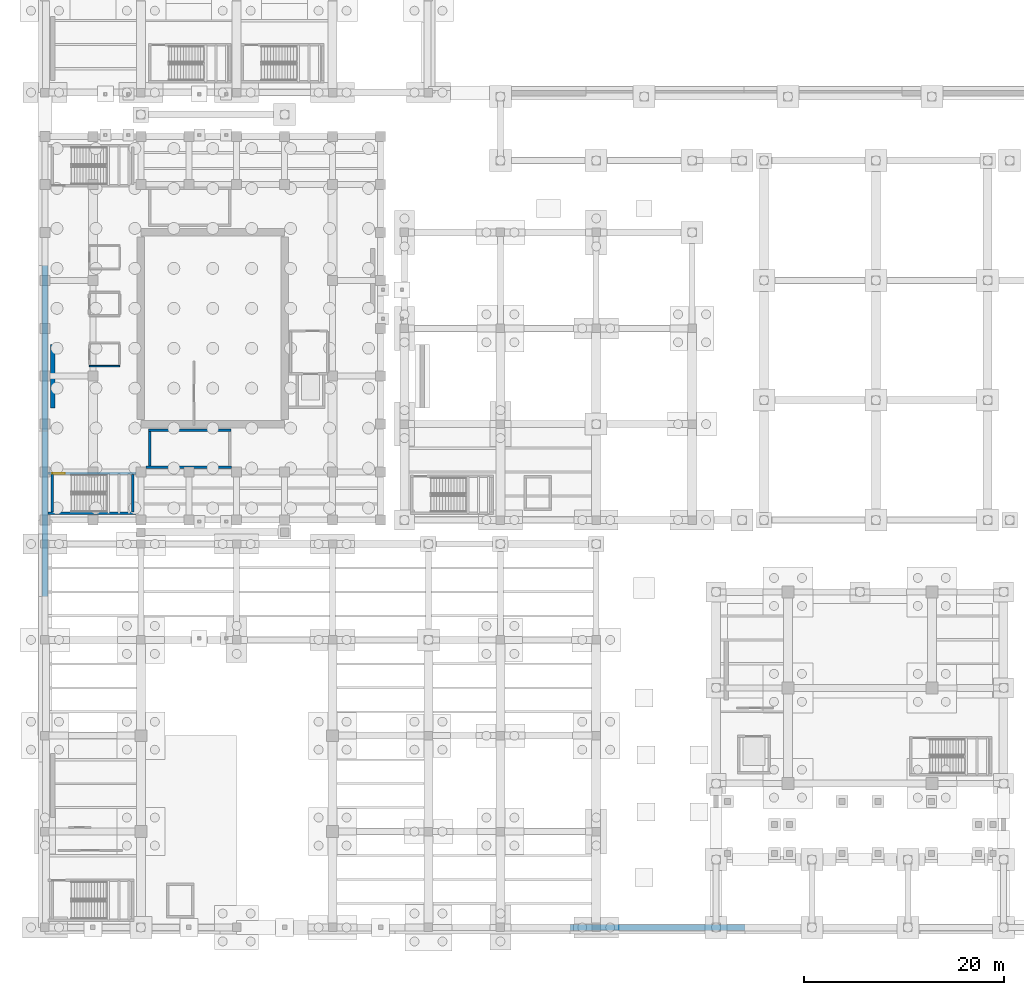
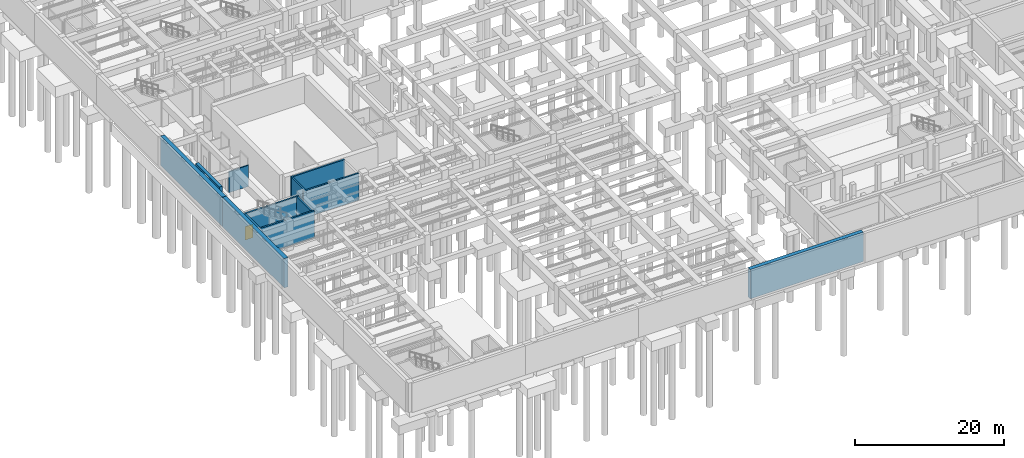
# One storey, part 34 of 56: 12 walls, 1 door, 1 opening.
"""IFC4 building model written with IfcOpenShell, lengths in metres."""

from ifc_helpers import new_model, si_unit, direction, frame, frame_2d, origin, place, context, subcontext, project, spatial, rectangle, extrude, material, layer, layer_set, type_object, element, fill, save


model = new_model("IFC4")

# Units and contexts
model_context = context("Model", 3, precision=1e-05, world=origin(), true_north=direction((0.0, 1.0)))
body_context = subcontext(model_context, "Body", "Model", "MODEL_VIEW")
ifc_project = project(units=[si_unit("LENGTHUNIT", "METRE"), si_unit("AREAUNIT", "SQUARE_METRE"), si_unit("VOLUMEUNIT", "CUBIC_METRE"), si_unit("PLANEANGLEUNIT", "RADIAN"), si_unit("MASSUNIT", "GRAM", prefix="KILO")], contexts=[model_context])

# Site, building, storey
site_placement = place(None, origin())
site = spatial("IfcSite", under=ifc_project, at=site_placement, CompositionType="ELEMENT")
building_placement = place(site_placement, origin())
building = spatial("IfcBuilding", under=site, at=building_placement, Name="Mavantir Sound Aquarium", CompositionType="ELEMENT")
storey_placement = place(building_placement, frame((0.0, 0.0, -9.60009765625)))
storey = spatial("IfcBuildingStorey", under=building, at=storey_placement, Name="B2", CompositionType="ELEMENT", Elevation=-9.60009765625)

# Walls
ifc_material_1 = material(Name="Moisture-Resistant Marine Gypsum Partition", Category="gypsum")
ifc_layer_1 = layer(ifc_material_1, 0.14990234375, Name="Moisture-Resistant Marine Gypsum Partition")
ifc_layer_set_1 = layer_set([ifc_layer_1], Name="Moisture-Resistant Marine Gypsum Partition")
wall_type_1 = type_object("IfcWallType", Name="IW-PART-150", PredefinedType="PARTITIONING", material=ifc_layer_set_1)
wall_1_placement = place(storey_placement, frame((4.43994140625, 56.199951171875, 0.0), z_axis=(0.0, 0.0, 1.0), x_axis=(1.0, 0.0, 0.0)))
element("IfcWall", 1, at=wall_1_placement, inside=storey, type_object=wall_type_1, Name="B2 B2 Mens WC partition S", PredefinedType="PARTITIONING", context=body_context, shape_type="SweptSolid", body=[
    extrude(rectangle(XDim=3.0400390625, YDim=0.14990234375, at=frame_2d((1.52001953125, 0.0))), origin(), (0.0, 0.0, 1.0), 3.466064453125),
])
ifc_material_2 = material(Name="Concrete C40/50", Category="concrete")
ifc_layer_2 = layer(ifc_material_2, 0.25, Name="Concrete C40/50")
ifc_layer_set_2 = layer_set([ifc_layer_2], Name="Concrete C40/50")
wall_type_2 = type_object("IfcWallType", Name="IW-SHAFT-250", PredefinedType="SHEAR", material=ifc_layer_set_2)
wall_2_placement = place(storey_placement, frame((0.300048828125, 41.47509765625, 0.0), z_axis=(0.0, 0.0, 1.0), x_axis=(1.0, 0.0, 0.0)))
element("IfcWall", 2, at=wall_2_placement, inside=storey, type_object=wall_type_2, Name="B2 stair ST1 shaft wall S", PredefinedType="SHEAR", context=body_context, shape_type="SweptSolid", body=[
    extrude(rectangle(XDim=8.800048828125, YDim=0.25, at=frame_2d((4.39990234375, 0.0))), origin(), (0.0, 0.0, 1.0), 4.400146484375),
])

# Wall, opening, door
wall_3_placement = place(storey_placement, frame((9.10009765625, 45.47509765625, 0.0), z_axis=(0.0, 0.0, 1.0), x_axis=(-1.0, 0.0, 0.0)))
wall_3 = element("IfcWall", 3, at=wall_3_placement, inside=storey, type_object=wall_type_2, Name="B2 stair ST1 shaft wall N", PredefinedType="SHEAR", context=body_context, shape_type="SweptSolid", body=[
    extrude(rectangle(XDim=8.800048828125, YDim=0.25, at=frame_2d((4.39990234375, 0.0))), origin(), (0.0, 0.0, 1.0), 4.400146484375),
])
opening_placement = place(wall_3_placement, frame((8.35009765625, 0.0, 0.0), z_axis=(0.0, 0.0, 1.0), x_axis=(-1.0, 0.0, 0.0)))
opening = element("IfcOpeningElement", 4, at=opening_placement, cuts=wall_3, Name="Opening SD-01", PredefinedType="OPENING", context=body_context, shape_type="SweptSolid", body=[
    extrude(rectangle(XDim=1.25, YDim=2.199951171875, at=frame_2d((0.625, 1.10009765625))), frame((0.0, 0.135009765625, 0.0), z_axis=(0.0, -1.0, 0.0), x_axis=(1.0, 0.0, 0.0)), (0.0, 0.0, 1.0), 0.27001953125),
])
ifc_material_3 = material(Name="Fire-Rated Steel Acoustic Door Leaf", Category="steel")
door_type = type_object("IfcDoorType", Name="DR-ST-125", OperationType="NOTDEFINED", PredefinedType="DOOR", material=ifc_material_3)
door_placement = place(opening_placement, origin())
door = element("IfcDoor", 5, at=door_placement, inside=storey, type_object=door_type, Name="B2 protected exit stair ST1 door", OperationType="SINGLE_SWING_LEFT", OverallHeight=2.199951171875, OverallWidth=1.25, PredefinedType="DOOR", context=body_context, shape_type="SweptSolid", body=[
    extrude(rectangle(XDim=1.25, YDim=2.199951171875, at=frame_2d((0.625, 1.10009765625))), frame((0.0, 0.02490234375, 0.0), z_axis=(0.0, -1.0, 0.0), x_axis=(1.0, 0.0, 0.0)), (0.0, 0.0, 1.0), 0.050048828125),
])
fill(opening, door)

# Walls
for number, where, z_axis, x_axis, name in (
    (6, (0.72509765625, 45.35009765625, 0.0), (0.0, 0.0, 1.0), (0.0, -1.0, 0.0), "B2 stair ST1 shaft wall W"),
    (7, (8.77490234375, 41.60009765625, 0.0), (0.0, 0.0, 1.0), (0.0, 1.0, 0.0), "B2 stair ST1 shaft wall E"),
):
    element("IfcWall", number, at=place(storey_placement, frame(where, z_axis=z_axis, x_axis=x_axis)), inside=storey, type_object=wall_type_2, Name=name, PredefinedType="SHEAR", context=body_context, shape_type="SweptSolid", body=[
        extrude(rectangle(XDim=3.75, YDim=0.25, at=frame_2d((1.875, 0.0))), origin(), (0.0, 0.0, 1.0), 4.400146484375),
    ])
wall_4_placement = place(storey_placement, frame((10.10009765625, 46.074951171875, 0.0), z_axis=(0.0, 0.0, 1.0), x_axis=(1.0, 0.0, 0.0)))
element("IfcWall", 8, at=wall_4_placement, inside=storey, type_object=wall_type_2, Name="B2 stair ST9 shaft wall S", PredefinedType="SHEAR", context=body_context, shape_type="SweptSolid", body=[
    extrude(rectangle(XDim=8.599853515625, YDim=0.25, at=frame_2d((4.2998046875, 0.0))), origin(), (0.0, 0.0, 1.0), 4.400146484375),
])
wall_5_placement = place(storey_placement, frame((18.64990234375, 49.77490234375, 0.0), z_axis=(0.0, 0.0, 1.0), x_axis=(-1.0, 0.0, 0.0)))
element("IfcWall", 9, at=wall_5_placement, inside=storey, type_object=wall_type_2, Name="B2 stair ST9 shaft wall N", PredefinedType="SHEAR", context=body_context, shape_type="SweptSolid", body=[
    extrude(rectangle(XDim=8.2998046875, YDim=0.25, at=frame_2d((4.14990234375, 0.0))), origin(), (0.0, 0.0, 1.0), 4.400146484375),
])
wall_6_placement = place(storey_placement, frame((10.47509765625, 49.64990234375, 0.0), z_axis=(0.0, 0.0, 1.0), x_axis=(0.0, -1.0, 0.0)))
element("IfcWall", 10, at=wall_6_placement, inside=storey, type_object=wall_type_2, Name="B2 stair ST9 shaft wall W", PredefinedType="SHEAR", context=body_context, shape_type="SweptSolid", body=[
    extrude(rectangle(XDim=3.449951171875, YDim=0.25, at=frame_2d((1.72509765625, 0.0))), origin(), (0.0, 0.0, 1.0), 4.400146484375),
])
ifc_material_4 = material(Name="Concrete C45/55", Category="concrete")
ifc_layer_3 = layer(ifc_material_4, 0.60009765625, Name="Concrete C45/55")
ifc_layer_set_3 = layer_set([ifc_layer_3], Name="Concrete C45/55")
wall_type_3 = type_object("IfcWallType", Name="SW-RET-600", PredefinedType="USERDEFINED", material=ifc_layer_set_3)
wall_7_placement = place(storey_placement, frame((0.0, 33.14306640625, 0.0), z_axis=(0.0, 0.0, 1.0), x_axis=(0.0, 1.0, 0.0)))
element("IfcWall", 11, at=wall_7_placement, inside=storey, type_object=wall_type_3, Name="B2 perimeter plinth retaining wall 5", ObjectType="RETAINING WALL", PredefinedType="USERDEFINED", context=body_context, shape_type="SweptSolid", body=[
    extrude(rectangle(XDim=16.571044921875, YDim=0.60009765625, at=frame_2d((8.28564453125, 0.0))), origin(), (0.0, 0.0, 1.0), 4.800048828125),
])
wall_8_placement = place(storey_placement, frame((0.0, 49.714111328125, 0.0), z_axis=(0.0, 0.0, 1.0), x_axis=(0.0, 1.0, 0.0)))
element("IfcWall", 12, at=wall_8_placement, inside=storey, type_object=wall_type_3, Name="B2 perimeter plinth retaining wall 7", ObjectType="RETAINING WALL", PredefinedType="USERDEFINED", context=body_context, shape_type="SweptSolid", body=[
    extrude(rectangle(XDim=16.57177734375, YDim=0.60009765625, at=frame_2d((8.285888671875, 0.0))), origin(), (0.0, 0.0, 1.0), 4.800048828125),
])
wall_9_placement = place(storey_placement, frame((70.080078125, 0.0, 0.0), z_axis=(0.0, 0.0, 1.0), x_axis=(-1.0, 0.0, 0.0)))
element("IfcWall", 13, at=wall_9_placement, inside=storey, type_object=wall_type_3, Name="B2 perimeter plinth retaining wall 97", ObjectType="RETAINING WALL", PredefinedType="USERDEFINED", context=body_context, shape_type="SweptSolid", body=[
    extrude(rectangle(XDim=17.52001953125, YDim=0.60009765625, at=frame_2d((8.760009765625, 0.0))), origin(), (0.0, 0.0, 1.0), 4.800048828125),
])
ifc_layer_4 = layer(ifc_material_2, 0.449951171875, Name="Concrete C40/50")
ifc_layer_set_4 = layer_set([ifc_layer_4], Name="Concrete C40/50")
wall_type_4 = type_object("IfcWallType", Name="SW-SHR-450", PredefinedType="SHEAR", material=ifc_layer_set_4)
wall_10_placement = place(storey_placement, frame((0.800048828125, 52.0, 0.0), z_axis=(0.0, 0.0, 1.0), x_axis=(0.0, 1.0, 0.0)))
element("IfcWall", 14, at=wall_10_placement, inside=storey, type_object=wall_type_4, Name="B2 special RC shear wall 1 (V1)", PredefinedType="SHEAR", context=body_context, shape_type="SweptSolid", body=[
    extrude(rectangle(XDim=6.39990234375, YDim=0.449951171875, at=frame_2d((3.199951171875, 0.0))), origin(), (0.0, 0.0, 1.0), 4.800048828125),
])

save(model, "model.ifc")
